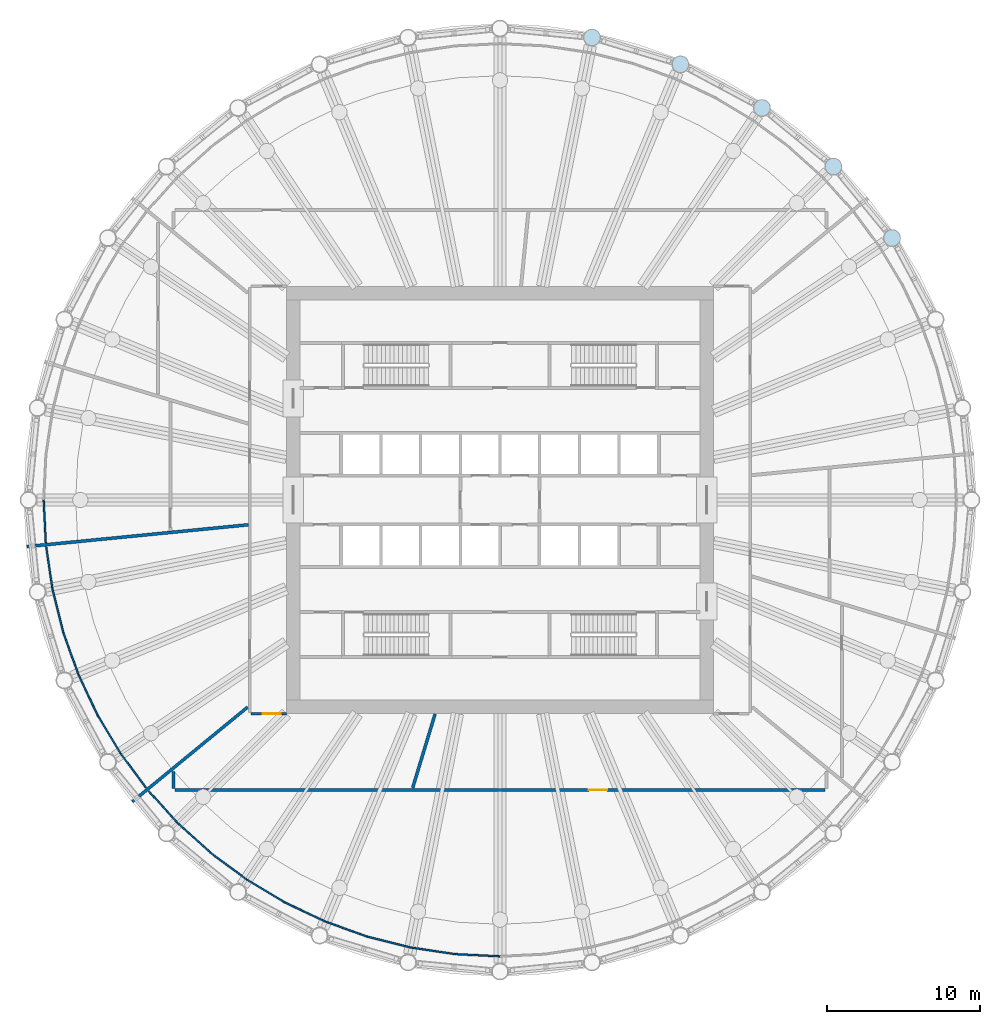
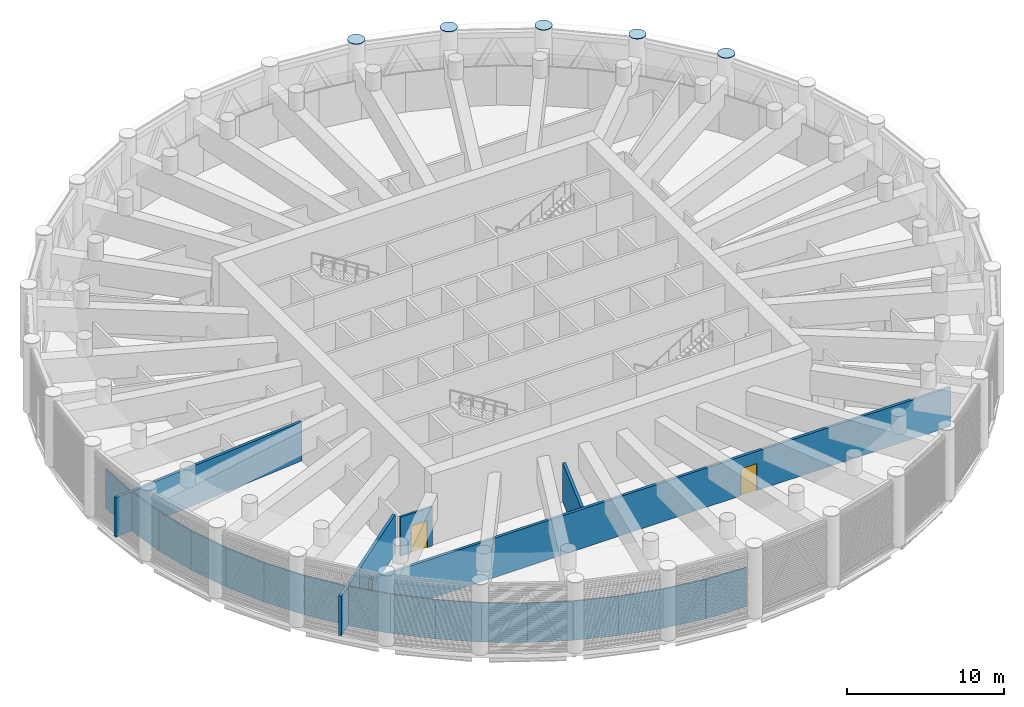
# One storey, part 7 of 23: 22 walls, 5 plates, 2 doors, 2 openings.
"""IFC4 building model written with IfcOpenShell, lengths in metres."""

from ifc_helpers import new_model, si_unit, direction, frame, frame_2d, origin, place, context, subcontext, project, spatial, polyline, rectangle, outline, extrude, material, layer, layer_set, type_object, element, fill, save


model = new_model("IFC4")

# Units and contexts
model_context = context("Model", 3, precision=1e-05, world=origin(), true_north=direction((0.0, 1.0)))
body_context = subcontext(model_context, "Body", "Model", "MODEL_VIEW")
ifc_project = project(units=[si_unit("LENGTHUNIT", "METRE"), si_unit("AREAUNIT", "SQUARE_METRE"), si_unit("VOLUMEUNIT", "CUBIC_METRE"), si_unit("PLANEANGLEUNIT", "RADIAN"), si_unit("MASSUNIT", "GRAM", prefix="KILO")], contexts=[model_context])

# Site, building, storey
site_placement = place(None, origin())
site = spatial("IfcSite", under=ifc_project, at=site_placement, CompositionType="ELEMENT")
building_placement = place(site_placement, origin())
building = spatial("IfcBuilding", under=site, at=building_placement, Name="Corvane Civic Tower", CompositionType="ELEMENT")
storey_placement = place(building_placement, frame((0.0, 0.0, 196.0)))
storey = spatial("IfcBuildingStorey", under=building, at=storey_placement, Name="L46", CompositionType="ELEMENT", Elevation=196.0)

# Plates
ifc_material_1 = material(Name="Steel ASTM A572 Gr 50", Category="steel")
ifc_layer_1 = layer(ifc_material_1, 0.044921875)
ifc_layer_set_1 = layer_set([ifc_layer_1], Name="Steel ASTM A572 Gr 50")
plate_type = type_object("IfcPlateType", Name="COLUMN CAP PLATE 45", PredefinedType="SHEET", material=ifc_layer_set_1)
plate_1_placement = place(storey_placement, frame((0.0, 0.0, 5.5)))
element("IfcPlate", 1, at=plate_1_placement, inside=storey, type_object=plate_type, Name="PL-L46-cap-C02", PredefinedType="SHEET", context=body_context, shape_type="SweptSolid", body=[
    extrude(outline(polyline([(6.578369140625, 30.30615234375), (6.573486328125, 30.3779296875), (6.5595703125, 30.448486328125), (6.53662109375, 30.5166015625), (6.504638671875, 30.581298828125), (6.464599609375, 30.64111328125), (6.417236328125, 30.695068359375), (6.363037109375, 30.742431640625), (6.30322265625, 30.782470703125), (6.23876953125, 30.814208984375), (6.170654296875, 30.83740234375), (6.10009765625, 30.851318359375), (6.0283203125, 30.856201171875), (5.95654296875, 30.851318359375), (5.885986328125, 30.83740234375), (5.81787109375, 30.814208984375), (5.75341796875, 30.782470703125), (5.693603515625, 30.742431640625), (5.639404296875, 30.695068359375), (5.592041015625, 30.64111328125), (5.552001953125, 30.581298828125), (5.520263671875, 30.5166015625), (5.4970703125, 30.448486328125), (5.48291015625, 30.3779296875), (5.478271484375, 30.30615234375), (5.48291015625, 30.234375), (5.4970703125, 30.163818359375), (5.520263671875, 30.095703125), (5.552001953125, 30.03125), (5.592041015625, 29.97119140625), (5.639404296875, 29.917236328125), (5.693603515625, 29.869873046875), (5.75341796875, 29.829833984375), (5.81787109375, 29.798095703125), (5.885986328125, 29.77490234375), (5.95654296875, 29.760986328125), (6.0283203125, 29.756103515625), (6.10009765625, 29.760986328125), (6.170654296875, 29.77490234375), (6.23876953125, 29.798095703125), (6.30322265625, 29.829833984375), (6.363037109375, 29.869873046875), (6.417236328125, 29.917236328125), (6.464599609375, 29.97119140625), (6.504638671875, 30.03125), (6.53662109375, 30.095703125), (6.5595703125, 30.163818359375), (6.573486328125, 30.234375), (6.578369140625, 30.30615234375)])), origin(), (0.0, 0.0, 1.0), 0.044921875),
])
plate_2_placement = place(storey_placement, frame((0.0, 0.0, 5.5)))
element("IfcPlate", 2, at=plate_2_placement, inside=storey, type_object=plate_type, Name="PL-L46-cap-C03", PredefinedType="SHEET", context=body_context, shape_type="SweptSolid", body=[
    extrude(outline(polyline([(12.375, 28.5478515625), (12.3701171875, 28.61962890625), (12.356201171875, 28.690185546875), (12.3330078125, 28.75830078125), (12.30126953125, 28.822998046875), (12.26123046875, 28.8828125), (12.2138671875, 28.936767578125), (12.159912109375, 28.984130859375), (12.10009765625, 29.024169921875), (12.035400390625, 29.055908203125), (11.96728515625, 29.0791015625), (11.896728515625, 29.093017578125), (11.824951171875, 29.097900390625), (11.753173828125, 29.093017578125), (11.6826171875, 29.0791015625), (11.614501953125, 29.055908203125), (11.550048828125, 29.024169921875), (11.489990234375, 28.984130859375), (11.43603515625, 28.936767578125), (11.388671875, 28.8828125), (11.3486328125, 28.822998046875), (11.31689453125, 28.75830078125), (11.293701171875, 28.690185546875), (11.27978515625, 28.61962890625), (11.27490234375, 28.5478515625), (11.27978515625, 28.47607421875), (11.293701171875, 28.405517578125), (11.31689453125, 28.33740234375), (11.3486328125, 28.27294921875), (11.388671875, 28.212890625), (11.43603515625, 28.158935546875), (11.489990234375, 28.111572265625), (11.550048828125, 28.071533203125), (11.614501953125, 28.039794921875), (11.6826171875, 28.0166015625), (11.753173828125, 28.002685546875), (11.824951171875, 27.997802734375), (11.896728515625, 28.002685546875), (11.96728515625, 28.0166015625), (12.035400390625, 28.039794921875), (12.10009765625, 28.071533203125), (12.159912109375, 28.111572265625), (12.2138671875, 28.158935546875), (12.26123046875, 28.212890625), (12.30126953125, 28.27294921875), (12.3330078125, 28.33740234375), (12.356201171875, 28.405517578125), (12.3701171875, 28.47607421875), (12.375, 28.5478515625)])), origin(), (0.0, 0.0, 1.0), 0.044921875),
])
plate_3_placement = place(storey_placement, frame((0.0, 0.0, 5.5)))
element("IfcPlate", 3, at=plate_3_placement, inside=storey, type_object=plate_type, Name="PL-L46-cap-C04", PredefinedType="SHEET", context=body_context, shape_type="SweptSolid", body=[
    extrude(outline(polyline([(17.71728515625, 25.6923828125), (17.71240234375, 25.76416015625), (17.698486328125, 25.834716796875), (17.67529296875, 25.90283203125), (17.6435546875, 25.96728515625), (17.603515625, 26.027099609375), (17.55615234375, 26.081298828125), (17.502197265625, 26.128662109375), (17.442138671875, 26.168701171875), (17.377685546875, 26.200439453125), (17.3095703125, 26.2236328125), (17.239013671875, 26.23779296875), (17.167236328125, 26.242431640625), (17.095458984375, 26.23779296875), (17.02490234375, 26.2236328125), (16.956787109375, 26.200439453125), (16.89208984375, 26.168701171875), (16.83251953125, 26.128662109375), (16.7783203125, 26.081298828125), (16.73095703125, 26.027099609375), (16.69091796875, 25.96728515625), (16.6591796875, 25.90283203125), (16.635986328125, 25.834716796875), (16.621826171875, 25.76416015625), (16.6171875, 25.6923828125), (16.621826171875, 25.62060546875), (16.635986328125, 25.550048828125), (16.6591796875, 25.48193359375), (16.69091796875, 25.41748046875), (16.73095703125, 25.357666015625), (16.7783203125, 25.303466796875), (16.83251953125, 25.256103515625), (16.89208984375, 25.216064453125), (16.956787109375, 25.18408203125), (17.02490234375, 25.1611328125), (17.095458984375, 25.147216796875), (17.167236328125, 25.142333984375), (17.239013671875, 25.147216796875), (17.3095703125, 25.1611328125), (17.377685546875, 25.18408203125), (17.442138671875, 25.216064453125), (17.502197265625, 25.256103515625), (17.55615234375, 25.303466796875), (17.603515625, 25.357666015625), (17.6435546875, 25.41748046875), (17.67529296875, 25.48193359375), (17.698486328125, 25.550048828125), (17.71240234375, 25.62060546875), (17.71728515625, 25.6923828125)])), origin(), (0.0, 0.0, 1.0), 0.044921875),
])
plate_4_placement = place(storey_placement, frame((0.0, 0.0, 5.5)))
element("IfcPlate", 4, at=plate_4_placement, inside=storey, type_object=plate_type, Name="PL-L46-cap-C05", PredefinedType="SHEET", context=body_context, shape_type="SweptSolid", body=[
    extrude(outline(polyline([(22.399658203125, 21.849609375), (22.39501953125, 21.92138671875), (22.380859375, 21.991943359375), (22.357666015625, 22.06005859375), (22.325927734375, 22.12451171875), (22.285888671875, 22.184326171875), (22.238525390625, 22.238525390625), (22.184326171875, 22.285888671875), (22.12451171875, 22.325927734375), (22.06005859375, 22.357666015625), (21.991943359375, 22.380859375), (21.92138671875, 22.39501953125), (21.849609375, 22.399658203125), (21.77783203125, 22.39501953125), (21.707275390625, 22.380859375), (21.63916015625, 22.357666015625), (21.57470703125, 22.325927734375), (21.514892578125, 22.285888671875), (21.460693359375, 22.238525390625), (21.413330078125, 22.184326171875), (21.373291015625, 22.12451171875), (21.341552734375, 22.06005859375), (21.318359375, 21.991943359375), (21.30419921875, 21.92138671875), (21.299560546875, 21.849609375), (21.30419921875, 21.77783203125), (21.318359375, 21.707275390625), (21.341552734375, 21.63916015625), (21.373291015625, 21.57470703125), (21.413330078125, 21.514892578125), (21.460693359375, 21.460693359375), (21.514892578125, 21.413330078125), (21.57470703125, 21.373291015625), (21.63916015625, 21.341552734375), (21.707275390625, 21.318359375), (21.77783203125, 21.30419921875), (21.849609375, 21.299560546875), (21.92138671875, 21.30419921875), (21.991943359375, 21.318359375), (22.06005859375, 21.341552734375), (22.12451171875, 21.373291015625), (22.184326171875, 21.413330078125), (22.238525390625, 21.460693359375), (22.285888671875, 21.514892578125), (22.325927734375, 21.57470703125), (22.357666015625, 21.63916015625), (22.380859375, 21.707275390625), (22.39501953125, 21.77783203125), (22.399658203125, 21.849609375)])), origin(), (0.0, 0.0, 1.0), 0.044921875),
])
plate_5_placement = place(storey_placement, frame((0.0, 0.0, 5.5)))
element("IfcPlate", 5, at=plate_5_placement, inside=storey, type_object=plate_type, Name="PL-L46-cap-C06", PredefinedType="SHEET", context=body_context, shape_type="SweptSolid", body=[
    extrude(outline(polyline([(26.242431640625, 17.167236328125), (26.23779296875, 17.239013671875), (26.2236328125, 17.3095703125), (26.200439453125, 17.377685546875), (26.168701171875, 17.442138671875), (26.128662109375, 17.502197265625), (26.081298828125, 17.55615234375), (26.027099609375, 17.603515625), (25.96728515625, 17.6435546875), (25.90283203125, 17.67529296875), (25.834716796875, 17.698486328125), (25.76416015625, 17.71240234375), (25.6923828125, 17.71728515625), (25.62060546875, 17.71240234375), (25.550048828125, 17.698486328125), (25.48193359375, 17.67529296875), (25.41748046875, 17.6435546875), (25.357666015625, 17.603515625), (25.303466796875, 17.55615234375), (25.256103515625, 17.502197265625), (25.216064453125, 17.442138671875), (25.18408203125, 17.377685546875), (25.1611328125, 17.3095703125), (25.147216796875, 17.239013671875), (25.142333984375, 17.167236328125), (25.147216796875, 17.095458984375), (25.1611328125, 17.02490234375), (25.18408203125, 16.956787109375), (25.216064453125, 16.89208984375), (25.256103515625, 16.83251953125), (25.303466796875, 16.7783203125), (25.357666015625, 16.73095703125), (25.41748046875, 16.69091796875), (25.48193359375, 16.6591796875), (25.550048828125, 16.635986328125), (25.62060546875, 16.621826171875), (25.6923828125, 16.6171875), (25.76416015625, 16.621826171875), (25.834716796875, 16.635986328125), (25.90283203125, 16.6591796875), (25.96728515625, 16.69091796875), (26.027099609375, 16.73095703125), (26.081298828125, 16.7783203125), (26.128662109375, 16.83251953125), (26.168701171875, 16.89208984375), (26.200439453125, 16.956787109375), (26.2236328125, 17.02490234375), (26.23779296875, 17.095458984375), (26.242431640625, 17.167236328125)])), origin(), (0.0, 0.0, 1.0), 0.044921875),
])

# Walls
ifc_material_2 = material(Name="Plasterboard")
ifc_layer_2 = layer(ifc_material_2, 0.10009765625)
ifc_layer_set_2 = layer_set([ifc_layer_2], Name="Plasterboard")
wall_type_1 = type_object("IfcWallType", Name="Partition 100 plasterboard on studs", PredefinedType="PARTITIONING", material=ifc_layer_set_2)
for number, where, z_axis, x_axis, name in (
    (6, (-29.898681640625, 0.0, 0.0), (0.0, 0.0, 1.0), (0.049022353404, -0.998797681649, 0.0), "Partition L46.027"),
    (7, (-29.734130859375, -3.0693359375, 0.0), (0.0, 0.0, 1.0), (0.146716505228, -0.989178582003, 0.0), "Partition L46.029"),
):
    element("IfcWall", number, at=place(storey_placement, frame(where, z_axis=z_axis, x_axis=x_axis)), inside=storey, type_object=wall_type_1, Name=name, PredefinedType="PARTITIONING", context=body_context, shape_type="SweptSolid", body=[
        extrude(rectangle(XDim=2.7939453125, YDim=0.10009765625, at=frame_2d((1.39697265625, 0.0))), origin(), (0.0, 0.0, 1.0), 3.050048828125),
    ])
wall_1_placement = place(storey_placement, frame((-29.32421875, -5.8330078125, 0.0), z_axis=(0.0, 0.0, 1.0), x_axis=(0.243044616363, -0.970015110427, 0.0)))
element("IfcWall", 8, at=wall_1_placement, inside=storey, type_object=wall_type_1, Name="Partition L46.031", PredefinedType="PARTITIONING", context=body_context, shape_type="SweptSolid", body=[
    extrude(rectangle(XDim=2.93408203125, YDim=0.10009765625, at=frame_2d((1.467041015625, 0.0))), origin(), (0.0, 0.0, 1.0), 3.050048828125),
])
wall_2_placement = place(storey_placement, frame((-28.611083984375, -8.67919921875, 0.0), z_axis=(0.0, 0.0, 1.0), x_axis=(0.336847676567, -0.941559155227, 0.0)))
element("IfcWall", 9, at=wall_2_placement, inside=storey, type_object=wall_type_1, Name="Partition L46.033", PredefinedType="PARTITIONING", context=body_context, shape_type="SweptSolid", body=[
    extrude(rectangle(XDim=2.933837890625, YDim=0.10009765625, at=frame_2d((1.466796875, 0.0))), origin(), (0.0, 0.0, 1.0), 3.050048828125),
])
wall_3_placement = place(storey_placement, frame((-27.622802734375, -11.441650390625, 0.0), z_axis=(0.0, 0.0, 1.0), x_axis=(0.42750326142, -0.90401380602, 0.0)))
element("IfcWall", 10, at=wall_3_placement, inside=storey, type_object=wall_type_1, Name="Partition L46.035", PredefinedType="PARTITIONING", context=body_context, shape_type="SweptSolid", body=[
    extrude(rectangle(XDim=2.934326171875, YDim=0.10009765625, at=frame_2d((1.46728515625, 0.0))), origin(), (0.0, 0.0, 1.0), 3.050048828125),
])
wall_4_placement = place(storey_placement, frame((-26.368408203125, -14.09423828125, 0.0), z_axis=(0.0, 0.0, 1.0), x_axis=(0.514140854676, -0.857705766305, 0.0)))
element("IfcWall", 11, at=wall_4_placement, inside=storey, type_object=wall_type_1, Name="Partition L46.037", PredefinedType="PARTITIONING", context=body_context, shape_type="SweptSolid", body=[
    extrude(rectangle(XDim=2.93408203125, YDim=0.10009765625, at=frame_2d((1.467041015625, 0.0))), origin(), (0.0, 0.0, 1.0), 3.050048828125),
])
for number, where, z_axis, x_axis, name in (
    (12, (-24.85986328125, -16.61083984375, 0.0), (0.0, 0.0, 1.0), (0.595685108219, -0.80321805996, 0.0), "Partition L46.039"),
    (13, (-23.017822265625, -19.0712890625, 0.0), (0.0, 0.0, 1.0), (0.671519424739, -0.740986951436, 0.0), "Partition L46.041"),
):
    element("IfcWall", number, at=place(storey_placement, frame(where, z_axis=z_axis, x_axis=x_axis)), inside=storey, type_object=wall_type_1, Name=name, PredefinedType="PARTITIONING", context=body_context, shape_type="SweptSolid", body=[
        extrude(rectangle(XDim=2.7939453125, YDim=0.10009765625, at=frame_2d((1.39697265625, 0.0))), origin(), (0.0, 0.0, 1.0), 3.050048828125),
    ])
wall_5_placement = place(storey_placement, frame((-21.1416015625, -21.1416015625, 0.0), z_axis=(0.0, 0.0, 1.0), x_axis=(0.740993420885, -0.671512285968, 0.0)))
element("IfcWall", 14, at=wall_5_placement, inside=storey, type_object=wall_type_1, Name="Partition L46.043", PredefinedType="PARTITIONING", context=body_context, shape_type="SweptSolid", body=[
    extrude(rectangle(XDim=2.93408203125, YDim=0.10009765625, at=frame_2d((1.467041015625, 0.0))), origin(), (0.0, 0.0, 1.0), 3.050048828125),
])
wall_6_placement = place(storey_placement, frame((-18.967529296875, -23.11181640625, 0.0), z_axis=(0.0, 0.0, 1.0), x_axis=(0.803173799332, -0.595744784338, 0.0)))
element("IfcWall", 15, at=wall_6_placement, inside=storey, type_object=wall_type_1, Name="Partition L46.045", PredefinedType="PARTITIONING", context=body_context, shape_type="SweptSolid", body=[
    extrude(rectangle(XDim=2.934326171875, YDim=0.10009765625, at=frame_2d((1.46728515625, 0.0))), origin(), (0.0, 0.0, 1.0), 3.050048828125),
])
wall_7_placement = place(storey_placement, frame((-16.61083984375, -24.85986328125, 0.0), z_axis=(0.0, 0.0, 1.0), x_axis=(0.857705766305, -0.514140854676, 0.0)))
element("IfcWall", 16, at=wall_7_placement, inside=storey, type_object=wall_type_1, Name="Partition L46.047", PredefinedType="PARTITIONING", context=body_context, shape_type="SweptSolid", body=[
    extrude(rectangle(XDim=2.93408203125, YDim=0.10009765625, at=frame_2d((1.467041015625, 0.0))), origin(), (0.0, 0.0, 1.0), 3.050048828125),
])
wall_8_placement = place(storey_placement, frame((-14.09423828125, -26.368408203125, 0.0), z_axis=(0.0, 0.0, 1.0), x_axis=(0.90401380602, -0.42750326142, 0.0)))
element("IfcWall", 17, at=wall_8_placement, inside=storey, type_object=wall_type_1, Name="Partition L46.049", PredefinedType="PARTITIONING", context=body_context, shape_type="SweptSolid", body=[
    extrude(rectangle(XDim=2.934326171875, YDim=0.10009765625, at=frame_2d((1.46728515625, 0.0))), origin(), (0.0, 0.0, 1.0), 3.050048828125),
])
wall_9_placement = place(storey_placement, frame((-11.441650390625, -27.622802734375, 0.0), z_axis=(0.0, 0.0, 1.0), x_axis=(0.941559155227, -0.336847676567, 0.0)))
element("IfcWall", 18, at=wall_9_placement, inside=storey, type_object=wall_type_1, Name="Partition L46.051", PredefinedType="PARTITIONING", context=body_context, shape_type="SweptSolid", body=[
    extrude(rectangle(XDim=2.933837890625, YDim=0.10009765625, at=frame_2d((1.466796875, 0.0))), origin(), (0.0, 0.0, 1.0), 3.050048828125),
])
for number, where, z_axis, x_axis, name in (
    (19, (-8.67919921875, -28.611083984375, 0.0), (0.0, 0.0, 1.0), (0.970015110427, -0.243044616363, 0.0), "Partition L46.053"),
    (20, (-5.8330078125, -29.32421875, 0.0), (0.0, 0.0, 1.0), (0.989169482721, -0.146777840471, 0.0), "Partition L46.055"),
    (21, (-2.9306640625, -29.7548828125, 0.0), (0.0, 0.0, 1.0), (0.998798385144, -0.049008018065, 0.0), "Partition L46.057"),
):
    element("IfcWall", number, at=place(storey_placement, frame(where, z_axis=z_axis, x_axis=x_axis)), inside=storey, type_object=wall_type_1, Name=name, PredefinedType="PARTITIONING", context=body_context, shape_type="SweptSolid", body=[
        extrude(rectangle(XDim=2.93408203125, YDim=0.10009765625, at=frame_2d((1.467041015625, 0.0))), origin(), (0.0, 0.0, 1.0), 3.050048828125),
    ])
ifc_material_3 = material(Name="Gypsum fibreboard")
ifc_layer_3 = layer(ifc_material_3, 0.199951171875)
ifc_layer_set_3 = layer_set([ifc_layer_3], Name="Gypsum fibreboard")
wall_type_2 = type_object("IfcWallType", Name="Plant and refuge wall 200 EI 120", PredefinedType="PARTITIONING", material=ifc_layer_set_3)
wall_10_placement = place(storey_placement, frame((-24.079345703125, -19.761474609375, 0.0), z_axis=(0.0, 0.0, 1.0), x_axis=(0.773012005749, 0.634391392571, 0.0)))
element("IfcWall", 22, at=wall_10_placement, inside=storey, type_object=wall_type_2, Name="Partition L46.001", PredefinedType="PARTITIONING", context=body_context, shape_type="SweptSolid", body=[
    extrude(rectangle(XDim=9.75537109375, YDim=0.199951171875, at=frame_2d((4.877685546875, 0.0))), origin(), (0.0, 0.0, 1.0), 3.050048828125),
])

# Wall, opening, door
wall_11_placement = place(storey_placement, frame((-21.300048828125, -19.0, 0.0), z_axis=(0.0, 0.0, 1.0), x_axis=(1.0, 0.0, 0.0)))
wall_11 = element("IfcWall", 23, at=wall_11_placement, inside=storey, type_object=wall_type_2, Name="Partition L46.003", PredefinedType="PARTITIONING", context=body_context, shape_type="SweptSolid", body=[
    extrude(rectangle(XDim=42.60009765625, YDim=0.199951171875, at=frame_2d((21.300048828125, 0.0))), origin(), (0.0, 0.0, 1.0), 3.050048828125),
])
opening_1_placement = place(wall_11_placement, frame((27.123291015625, 0.0, 0.0)))
opening_1 = element("IfcOpeningElement", 24, at=opening_1_placement, cuts=wall_11, Name="Opening L46.004", PredefinedType="OPENING", context=body_context, shape_type="SweptSolid", body=[
    extrude(rectangle(XDim=1.199951171875, YDim=2.10009765625, at=frame_2d((0.60009765625, 1.050048828125))), frame((0.0, 0.10986328125, 0.0), z_axis=(0.0, -1.0, 0.0), x_axis=(1.0, 0.0, 0.0)), (0.0, 0.0, 1.0), 0.219970703125),
])
ifc_material_4 = material(Name="Steel and timber", Category="steel")
door_type = type_object("IfcDoorType", Name="Fire door FD60 1200", OperationType="NOTDEFINED", PredefinedType="DOOR", material=ifc_material_4)
door_1_placement = place(opening_1_placement, frame((1.199951171875, 0.0, 0.0), z_axis=(0.0, 0.0, 1.0), x_axis=(-1.0, 0.0, 0.0)))
door_1 = element("IfcDoor", 25, at=door_1_placement, inside=storey, type_object=door_type, Name="Door L46.004", OperationType="SINGLE_SWING_LEFT", OverallHeight=2.10009765625, OverallWidth=1.199951171875, PredefinedType="DOOR", context=body_context, shape_type="SweptSolid", body=[
    extrude(rectangle(XDim=1.199951171875, YDim=2.10009765625, at=frame_2d((0.60009765625, 1.050048828125))), frame((0.0, 0.02490234375, 0.0), z_axis=(0.0, -1.0, 0.0), x_axis=(1.0, 0.0, 0.0)), (0.0, 0.0, 1.0), 0.050048828125),
])
fill(opening_1, door_1)

# Walls
wall_12_placement = place(storey_placement, frame((-21.39990234375, -18.89990234375, 0.0), z_axis=(0.0, 0.0, 1.0), x_axis=(0.0, 1.0, 0.0)))
element("IfcWall", 26, at=wall_12_placement, inside=storey, type_object=wall_type_2, Name="Partition L46.004", PredefinedType="PARTITIONING", context=body_context, shape_type="SweptSolid", body=[
    extrude(rectangle(XDim=1.1259765625, YDim=0.199951171875, at=frame_2d((0.56298828125, 0.0))), origin(), (0.0, 0.0, 1.0), 3.050048828125),
])
wall_13_placement = place(storey_placement, frame((-5.724365234375, -18.87109375, 0.0), z_axis=(0.0, 0.0, 1.0), x_axis=(0.290253283036, 0.956949858502, 0.0)))
element("IfcWall", 27, at=wall_13_placement, inside=storey, type_object=wall_type_2, Name="Partition L46.006", PredefinedType="PARTITIONING", context=body_context, shape_type="SweptSolid", body=[
    extrude(rectangle(XDim=5.0703125, YDim=0.199951171875, at=frame_2d((2.53515625, 0.0))), origin(), (0.0, 0.0, 1.0), 3.050048828125),
])
wall_14_placement = place(storey_placement, frame((-31.000244140625, -3.05322265625, 0.0), z_axis=(0.0, 0.0, 1.0), x_axis=(0.995184410544, 0.098020349981, 0.0)))
element("IfcWall", 28, at=wall_14_placement, inside=storey, type_object=wall_type_2, Name="Partition L46.014", PredefinedType="PARTITIONING", context=body_context, shape_type="SweptSolid", body=[
    extrude(rectangle(XDim=14.585693359375, YDim=0.199951171875, at=frame_2d((7.29296875, 0.0))), origin(), (0.0, 0.0, 1.0), 3.050048828125),
])

# Wall, opening, door
ifc_material_5 = material(Name="Plasterboard")
ifc_layer_4 = layer(ifc_material_5, 0.14990234375)
ifc_layer_set_4 = layer_set([ifc_layer_4], Name="Plasterboard")
wall_type_3 = type_object("IfcWallType", Name="Tenancy wall 150 EI 60", PredefinedType="PARTITIONING", material=ifc_layer_set_4)
wall_15_placement = place(storey_placement, frame((-16.324951171875, -14.0, 0.0), z_axis=(0.0, 0.0, 1.0), x_axis=(1.0, 0.0, 0.0)))
wall_15 = element("IfcWall", 29, at=wall_15_placement, inside=storey, type_object=wall_type_3, Name="Partition L46.008", PredefinedType="PARTITIONING", context=body_context, shape_type="SweptSolid", body=[
    extrude(rectangle(XDim=2.3349609375, YDim=0.14990234375, at=frame_2d((1.16748046875, 0.0))), origin(), (0.0, 0.0, 1.0), 3.050048828125),
])
opening_2_placement = place(wall_15_placement, frame((0.766845703125, 0.0, 0.0)))
opening_2 = element("IfcOpeningElement", 30, at=opening_2_placement, cuts=wall_15, Name="Opening L46.006", PredefinedType="OPENING", context=body_context, shape_type="SweptSolid", body=[
    extrude(rectangle(XDim=1.199951171875, YDim=2.10009765625, at=frame_2d((0.60009765625, 1.050048828125))), frame((0.0, 0.0849609375, 0.0), z_axis=(0.0, -1.0, 0.0), x_axis=(1.0, 0.0, 0.0)), (0.0, 0.0, 1.0), 0.169921875),
])
door_2_placement = place(opening_2_placement, frame((1.199951171875, 0.0, 0.0), z_axis=(0.0, 0.0, 1.0), x_axis=(-1.0, 0.0, 0.0)))
door_2 = element("IfcDoor", 31, at=door_2_placement, inside=storey, type_object=door_type, Name="Door L46.006", OperationType="SINGLE_SWING_LEFT", OverallHeight=2.10009765625, OverallWidth=1.199951171875, PredefinedType="DOOR", context=body_context, shape_type="SweptSolid", body=[
    extrude(rectangle(XDim=1.199951171875, YDim=2.10009765625, at=frame_2d((0.60009765625, 1.050048828125))), frame((0.0, 0.02490234375, 0.0), z_axis=(0.0, -1.0, 0.0), x_axis=(1.0, 0.0, 0.0)), (0.0, 0.0, 1.0), 0.050048828125),
])
fill(opening_2, door_2)

save(model, "model.ifc")
